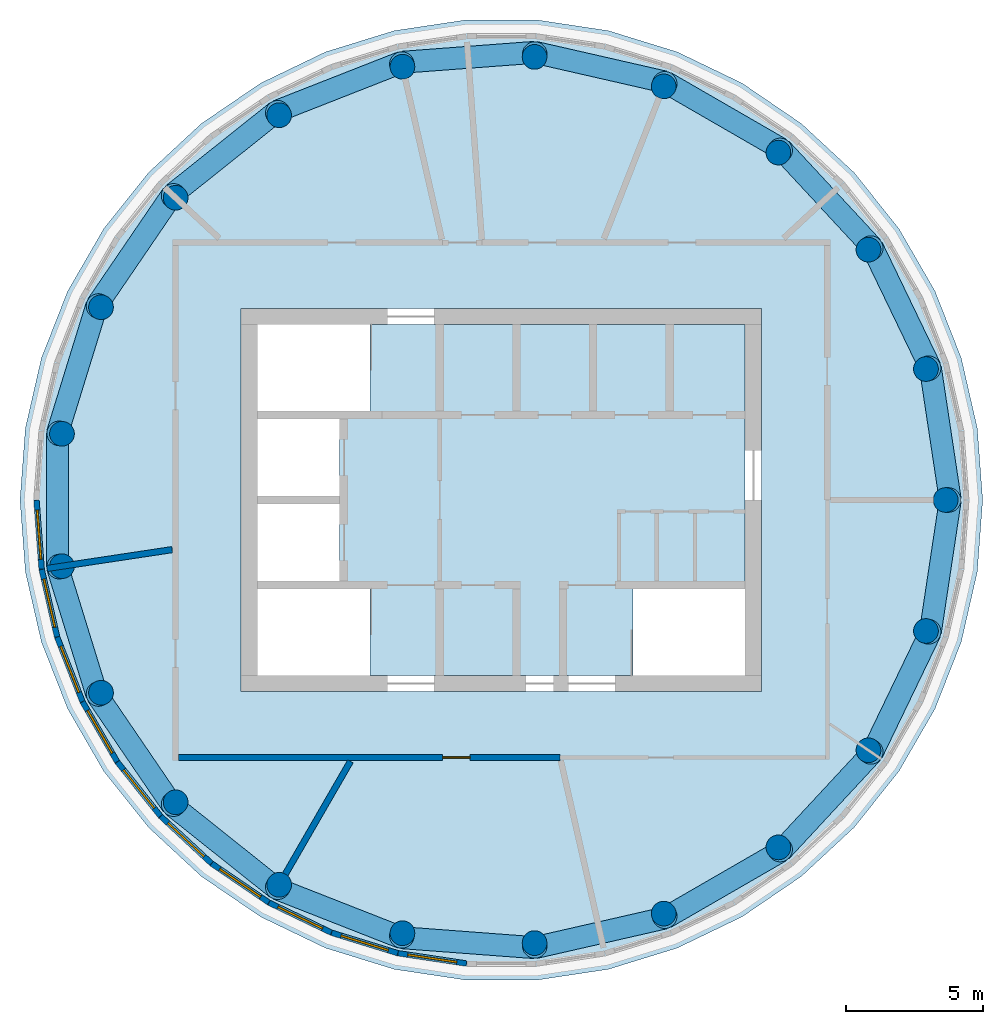
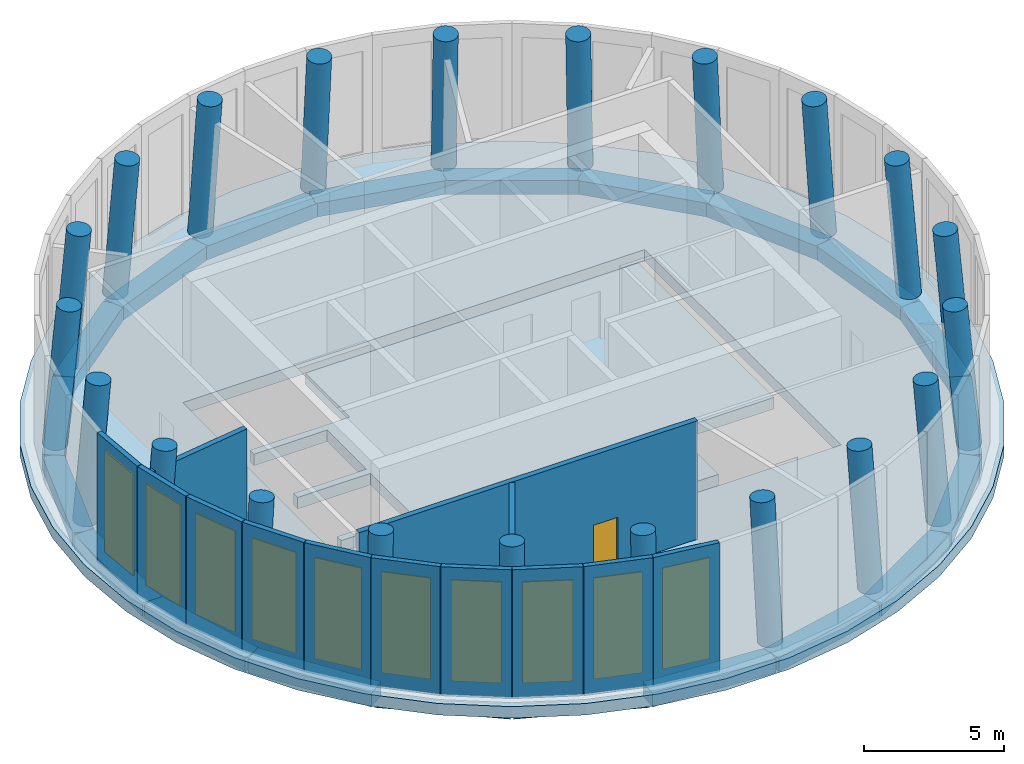
# One storey, part 1 of 6: 21 beams, 21 columns, 13 walls, 10 windows, 2 slabs, 1 door, 11 openings.
"""IFC4 building model written with IfcOpenShell, lengths in metres."""

from ifc_helpers import new_model, si_unit, direction, frame, frame_2d, origin, origin_2d, place, context, subcontext, project, spatial, polyline, rectangle, circle, outline, extrude, material, layer, layer_set, material_profile, profile_set, type_object, element, fill, save


model = new_model("IFC4")

# Units and contexts
model_context = context("Model", 3, precision=1e-05, world=origin(), true_north=direction((0.0, 1.0)))
body_context = subcontext(model_context, "Body", "Model", "MODEL_VIEW")
ifc_project = project(units=[si_unit("LENGTHUNIT", "METRE"), si_unit("AREAUNIT", "SQUARE_METRE"), si_unit("VOLUMEUNIT", "CUBIC_METRE"), si_unit("PLANEANGLEUNIT", "RADIAN"), si_unit("MASSUNIT", "GRAM", prefix="KILO")], contexts=[model_context])

# Site, building, storey
site_placement = place(None, origin())
site = spatial("IfcSite", under=ifc_project, at=site_placement, CompositionType="ELEMENT")
building_placement = place(site_placement, origin())
building = spatial("IfcBuilding", under=site, at=building_placement, Name="Tracery Tower", CompositionType="ELEMENT")
storey_placement = place(building_placement, frame((0.0, 0.0, 358.199951171875)))
storey = spatial("IfcBuildingStorey", under=building, at=storey_placement, Name="L91 Plant", CompositionType="ELEMENT", Elevation=358.199951171875)

# Columns
ifc_material_1 = material(Name="Concrete C40/50", Category="concrete")
ifc_material_profile_1 = material_profile(ifc_material_1, circle(Radius=0.449951171875, at=origin_2d()), Name="RC D900")
ifc_profile_set_1 = profile_set([ifc_material_profile_1], Name="Concrete C40/50")
column_type = type_object("IfcColumnType", Name="Ring 2 column 900", PredefinedType="COLUMN", material=ifc_profile_set_1)
for number, where, z_axis, x_axis, name in (
    (1, (16.322265625, 0.0, 0.0), (-0.083045479854, 0.0, 0.996545758245), (0.0, -1.0, 0.0), "Ring 2 column 00 at L91 Plant"),
    (2, (15.59716796875, 4.81103515625, 0.0), (-0.079355525933, -0.024451396085, 0.996546451368), (0.294463292182, -0.955662790715, 0.0), "Ring 2 column 01 at L91 Plant"),
    (3, (13.486083984375, 9.194580078125, 0.0), (-0.068609954363, -0.046753710036, 0.996547422234), (0.563124638155, -0.826371975506, 0.0), "Ring 2 column 02 at L91 Plant"),
    (4, (10.1767578125, 12.76123046875, 0.0), (-0.051781792178, -0.064919850648, 0.996546064661), (0.781773136815, -0.623562957972, 0.0), "Ring 2 column 03 at L91 Plant"),
    (5, (5.963134765625, 15.19384765625, 0.0), (-0.030331112906, -0.077287568447, 0.996547367341), (0.930882032679, -0.365319916287, 0.0), "Ring 2 column 04 at L91 Plant"),
    (6, (1.2197265625, 16.276611328125, 0.0), (-0.006204087027, -0.082802259542, 0.996546684867), (0.997204770402, -0.074717105716, 0.0), "Ring 2 column 05 at L91 Plant"),
    (7, (-3.632080078125, 15.9130859375, 0.0), (0.018490570178, -0.080977343519, 0.996544413787), (0.974906961218, 0.222612706217, 0.0), "Ring 2 column 06 at L91 Plant"),
    (8, (-8.1611328125, 14.135498046875, 0.0), (0.04152269391, -0.071934823239, 0.99654465384), (0.866071776036, 0.499919672301, 0.0), "Ring 2 column 07 at L91 Plant"),
    (9, (-11.965087890625, 11.101806640625, 0.0), (0.060905317561, -0.056485424342, 0.996543997588), (0.680001600229, 0.733210627096, 0.0), "Ring 2 column 08 at L91 Plant"),
    (10, (-14.705810546875, 7.081787109375, 0.0), (0.074814027775, -0.036008052392, 0.996547179722), (0.433683457211, 0.901065291165, 0.0), "Ring 2 column 09 at L91 Plant"),
    (11, (-16.139892578125, 2.4326171875, 0.0), (0.082112884337, -0.012367619616, 0.996546294063), (0.14893739329, 0.988846627582, 0.0), "Ring 2 column 10 at L91 Plant"),
    (12, (-16.139892578125, -2.4326171875, 0.0), (0.082112884337, 0.012367619616, 0.996546294063), (-0.14893739329, 0.988846627582, 0.0), "Ring 2 column 11 at L91 Plant"),
    (13, (-14.705810546875, -7.081787109375, 0.0), (0.074814027775, 0.036008052392, 0.996547179722), (-0.433683457211, 0.901065291165, 0.0), "Ring 2 column 12 at L91 Plant"),
    (14, (-11.965087890625, -11.101806640625, 0.0), (0.060905317561, 0.056485424342, 0.996543997588), (-0.680001600229, 0.733210627096, 0.0), "Ring 2 column 13 at L91 Plant"),
    (15, (-8.1611328125, -14.135498046875, 0.0), (0.04152269391, 0.071934823239, 0.99654465384), (-0.866071776036, 0.499919672301, 0.0), "Ring 2 column 14 at L91 Plant"),
    (16, (-3.632080078125, -15.9130859375, 0.0), (0.018490570178, 0.080977343519, 0.996544413787), (-0.974906961218, 0.222612706217, 0.0), "Ring 2 column 15 at L91 Plant"),
    (17, (1.2197265625, -16.276611328125, 0.0), (-0.006204087027, 0.082802259542, 0.996546684867), (-0.997204770402, -0.074717105716, 0.0), "Ring 2 column 16 at L91 Plant"),
    (18, (5.963134765625, -15.19384765625, 0.0), (-0.030331112906, 0.077287568447, 0.996547367341), (-0.930882032679, -0.365319916287, 0.0), "Ring 2 column 17 at L91 Plant"),
    (19, (10.1767578125, -12.76123046875, 0.0), (-0.051781792178, 0.064919850648, 0.996546064661), (-0.781773136815, -0.623562957972, 0.0), "Ring 2 column 18 at L91 Plant"),
    (20, (13.486083984375, -9.194580078125, 0.0), (-0.068609954363, 0.046753710036, 0.996547422234), (-0.563124638155, -0.826371975506, 0.0), "Ring 2 column 19 at L91 Plant"),
    (21, (15.59716796875, -4.81103515625, 0.0), (-0.079355525933, 0.024451396085, 0.996546451368), (-0.294463292182, -0.955662790715, 0.0), "Ring 2 column 20 at L91 Plant"),
):
    element("IfcColumn", number, at=place(storey_placement, frame(where, z_axis=z_axis, x_axis=x_axis)), inside=storey, type_object=column_type, Name=name, PredefinedType="COLUMN", context=body_context, shape_type="SweptSolid", body=[
        extrude(circle(Radius=0.449951171875, at=origin_2d()), origin(), (0.0, 0.0, 1.0), 6.020751953125),
    ])

# Beams
ifc_material_2 = material(Name="Concrete C40/50", Category="concrete")
ifc_material_profile_2 = material_profile(ifc_material_2, rectangle(XDim=0.800048828125, YDim=0.60009765625, at=origin_2d()), Name="RC 800x600")
ifc_profile_set_2 = profile_set([ifc_material_profile_2], Name="Concrete C40/50")
beam_type = type_object("IfcBeamType", Name="Plant level band beam 800x600", PredefinedType="BEAM", material=ifc_profile_set_2)
for number, where, z_axis, x_axis, name in (
    (22, (16.388916015625, 0.0, -0.800048828125), (-0.149022213382, 0.98883384849, 0.0), (-0.98883384849, -0.149022213382, 0.0), "Perimeter beam 2.00 under L91 Plant"),
    (23, (15.660888671875, 4.830810546875, -0.800048828125), (-0.433931314126, 0.900945955438, 0.0), (-0.900945955438, -0.433931314126, 0.0), "Perimeter beam 2.01 under L91 Plant"),
    (24, (13.541015625, 9.232177734375, -0.800048828125), (-0.680175018594, 0.733049755528, 0.0), (-0.733049755528, -0.680175018594, 0.0), "Perimeter beam 2.02 under L91 Plant"),
    (25, (10.21826171875, 12.813232421875, -0.800048828125), (-0.866001660343, 0.500041122592, 0.0), (-0.500041122592, -0.866001660343, 0.0), "Perimeter beam 2.03 under L91 Plant"),
    (26, (5.987548828125, 15.256103515625, -0.800048828125), (-0.974934131789, 0.222493682321, 0.0), (-0.222493682321, -0.974934131789, 0.0), "Perimeter beam 2.04 under L91 Plant"),
    (27, (1.224853515625, 16.343017578125, -0.800048828125), (-0.997205084034, -0.074712919747, 0.0), (0.074712919747, -0.997205084034, 0.0), "Perimeter beam 2.05 under L91 Plant"),
    (28, (-3.646728515625, 15.97802734375, -0.800048828125), (-0.930866249785, -0.365360130573, 0.0), (0.365360130573, -0.930866249785, 0.0), "Perimeter beam 2.06 under L91 Plant"),
    (29, (-8.1943359375, 14.193115234375, -0.800048828125), (-0.781842960257, -0.623475408895, 0.0), (0.623475408895, -0.781842960257, 0.0), "Perimeter beam 2.07 under L91 Plant"),
    (30, (-12.013916015625, 11.147216796875, -0.800048828125), (-0.563319766717, -0.826238972953, 0.0), (0.826238972953, -0.563319766717, 0.0), "Perimeter beam 2.08 under L91 Plant"),
    (31, (-14.765869140625, 7.11083984375, -0.800048828125), (-0.294753012006, -0.955573472797, 0.0), (0.955573472797, -0.294753012006, 0.0), "Perimeter beam 2.09 under L91 Plant"),
    (32, (-16.205810546875, 2.442626953125, -0.800048828125), (0.0, -1.0, 0.0), (1.0, 0.0, 0.0), "Perimeter beam 2.10 under L91 Plant"),
    (33, (-16.205810546875, -2.442626953125, -0.800048828125), (0.294753012006, -0.955573472797, 0.0), (0.955573472797, 0.294753012006, 0.0), "Perimeter beam 2.11 under L91 Plant"),
    (34, (-14.765869140625, -7.11083984375, -0.800048828125), (0.563319766717, -0.826238972953, 0.0), (0.826238972953, 0.563319766717, 0.0), "Perimeter beam 2.12 under L91 Plant"),
    (35, (-12.013916015625, -11.147216796875, -0.800048828125), (0.781842960257, -0.623475408895, 0.0), (0.623475408895, 0.781842960257, 0.0), "Perimeter beam 2.13 under L91 Plant"),
    (36, (-8.1943359375, -14.193115234375, -0.800048828125), (0.930866249785, -0.365360130573, 0.0), (0.365360130573, 0.930866249785, 0.0), "Perimeter beam 2.14 under L91 Plant"),
    (37, (-3.646728515625, -15.97802734375, -0.800048828125), (0.997205084034, -0.074712919747, 0.0), (0.074712919747, 0.997205084034, 0.0), "Perimeter beam 2.15 under L91 Plant"),
    (38, (1.224853515625, -16.343017578125, -0.800048828125), (0.974934131789, 0.222493682321, 0.0), (-0.222493682321, 0.974934131789, 0.0), "Perimeter beam 2.16 under L91 Plant"),
    (39, (5.987548828125, -15.256103515625, -0.800048828125), (0.866001660343, 0.500041122592, 0.0), (-0.500041122592, 0.866001660343, 0.0), "Perimeter beam 2.17 under L91 Plant"),
    (40, (10.21826171875, -12.813232421875, -0.800048828125), (0.680175018594, 0.733049755528, 0.0), (-0.733049755528, 0.680175018594, 0.0), "Perimeter beam 2.18 under L91 Plant"),
    (41, (13.541015625, -9.232177734375, -0.800048828125), (0.433931314126, 0.900945955438, 0.0), (-0.900945955438, 0.433931314126, 0.0), "Perimeter beam 2.19 under L91 Plant"),
    (42, (15.660888671875, -4.830810546875, -0.800048828125), (0.149022213382, 0.98883384849, 0.0), (-0.98883384849, 0.149022213382, 0.0), "Perimeter beam 2.20 under L91 Plant"),
):
    element("IfcBeam", number, at=place(storey_placement, frame(where, z_axis=z_axis, x_axis=x_axis)), inside=storey, type_object=beam_type, Name=name, PredefinedType="BEAM", context=body_context, shape_type="SweptSolid", body=[
        extrude(rectangle(XDim=0.800048828125, YDim=0.60009765625, at=origin_2d()), origin(), (0.0, 0.0, 1.0), 4.88525390625),
    ])

# Slabs
ifc_material_3 = material(Name="Concrete C40/50", Category="concrete")
ifc_layer_1 = layer(ifc_material_3, 0.5)
ifc_layer_set_1 = layer_set([ifc_layer_1], Name="Core floor slab 500 C40")
slab_type_1 = type_object("IfcSlabType", Name="Core floor slab 500 C40", PredefinedType="FLOOR", material=ifc_layer_set_1)
slab_1_placement = place(storey_placement, frame((0.0, 0.0, -0.5)))
element("IfcSlab", 43, at=slab_1_placement, inside=storey, type_object=slab_type_1, Name="L91 Plant core floor 1", PredefinedType="FLOOR", context=body_context, shape_type="SweptSolid", body=[
    extrude(outline(polyline([(-8.89990234375, -3.25), (-8.89990234375, -2.949951171875), (-5.89990234375, -2.949951171875), (-5.89990234375, -0.14990234375), (-8.89990234375, -0.14990234375), (-8.89990234375, 0.14990234375), (-5.89990234375, 0.14990234375), (-5.89990234375, 2.949951171875), (-8.89990234375, 2.949951171875), (-8.89990234375, 3.25), (-4.800537109375, 3.25), (-4.800537109375, 6.39990234375), (8.89990234375, 6.39990234375), (8.89990234375, -3.25), (4.800537109375, -3.25), (4.800537109375, -6.39990234375), (-4.800537109375, -6.39990234375), (-4.800537109375, -3.25), (-8.89990234375, -3.25)])), origin(), (0.0, 0.0, 1.0), 0.5),
])
ifc_material_4 = material(Name="Concrete C50/60", Category="concrete")
ifc_layer_2 = layer(ifc_material_4, 0.5)
ifc_layer_set_2 = layer_set([ifc_layer_2], Name="Plant floor slab 500")
slab_type_2 = type_object("IfcSlabType", Name="Plant floor slab 500", PredefinedType="FLOOR", material=ifc_layer_set_2)
slab_2_placement = place(storey_placement, frame((0.0, 0.0, -0.5)))
element("IfcSlab", 44, at=slab_2_placement, inside=storey, type_object=slab_type_2, Name="Floor slab L91 Plant", PredefinedType="FLOOR", context=body_context, shape_type="SweptSolid", body=[
    extrude(outline(polyline([(16.79150390625, -5.179443359375), (17.3759765625, -2.618896484375), (17.572265625, 0.0), (17.3759765625, 2.618896484375), (16.79150390625, 5.179443359375), (15.83203125, 7.624267578125), (14.518798828125, 9.898681640625), (12.88134765625, 11.9521484375), (10.9560546875, 13.738525390625), (8.7861328125, 15.218017578125), (6.419921875, 16.357421875), (3.91015625, 17.131591796875), (1.313232421875, 17.523193359375), (-1.313232421875, 17.523193359375), (-3.91015625, 17.131591796875), (-6.419921875, 16.357421875), (-8.7861328125, 15.218017578125), (-10.9560546875, 13.738525390625), (-12.88134765625, 11.9521484375), (-14.518798828125, 9.898681640625), (-15.83203125, 7.624267578125), (-16.79150390625, 5.179443359375), (-17.3759765625, 2.618896484375), (-17.572265625, 0.0), (-17.3759765625, -2.618896484375), (-16.79150390625, -5.179443359375), (-15.83203125, -7.624267578125), (-14.518798828125, -9.898681640625), (-12.88134765625, -11.9521484375), (-10.9560546875, -13.738525390625), (-8.7861328125, -15.218017578125), (-6.419921875, -16.357421875), (-3.91015625, -17.131591796875), (-1.313232421875, -17.523193359375), (1.313232421875, -17.523193359375), (3.91015625, -17.131591796875), (6.419921875, -16.357421875), (8.7861328125, -15.218017578125), (10.9560546875, -13.738525390625), (12.88134765625, -11.9521484375), (14.518798828125, -9.898681640625), (15.83203125, -7.624267578125), (16.79150390625, -5.179443359375)]), holes=[polyline([(-9.5, -7.0), (9.5, -7.0), (9.5, 7.0), (-9.5, 7.0), (-9.5, -7.0)])]), origin(), (0.0, 0.0, 1.0), 0.5),
])

# Wall, opening, window
ifc_material_5 = material(Name="Aluminium louvre, bronze anodised", Category="aluminium")
ifc_layer_3 = layer(ifc_material_5, 0.199951171875)
ifc_layer_set_3 = layer_set([ifc_layer_3], Name="Plant drum louvre wall 200")
wall_type_1 = type_object("IfcWallType", Name="Plant drum louvre wall 200", PredefinedType="STANDARD", material=ifc_layer_set_3)
wall_1_placement = place(storey_placement, frame((-16.97119140625, -0.008544921875, 0.0), z_axis=(0.0, 0.0, 1.0), x_axis=(0.074710452078, -0.997205268914, 0.0)))
wall_1 = element("IfcWall", 45, at=wall_1_placement, inside=storey, type_object=wall_type_1, Name="Plant drum louvre wall 22", PredefinedType="STANDARD", context=body_context, shape_type="SweptSolid", body=[
    extrude(rectangle(XDim=2.51953125, YDim=0.199951171875, at=frame_2d((1.259765625, 0.0))), origin(), (0.0, 0.0, 1.0), 5.60009765625),
])
opening_1_placement = place(wall_1_placement, frame((0.35986328125, 0.0, 0.60009765625)))
opening_1 = element("IfcOpeningElement", 46, at=opening_1_placement, cuts=wall_1, Name="Opening EW862", PredefinedType="OPENING", context=body_context, shape_type="SweptSolid", body=[
    extrude(rectangle(XDim=1.800048828125, YDim=4.39990234375, at=frame_2d((0.89990234375, 2.199951171875))), frame((0.0, 0.10009765625, 0.0), z_axis=(0.0, -1.0, 0.0), x_axis=(1.0, 0.0, 0.0)), (0.0, 0.0, 1.0), 0.199951171875),
])
ifc_material_6 = material(Name="Aluminium louvre, bronze anodised", Category="aluminium")
window_type = type_object("IfcWindowType", Name="Plant drum louvre 1800 x 4400", PartitioningType="SINGLE_PANEL", PredefinedType="WINDOW", material=ifc_material_6)
window_1_placement = place(opening_1_placement, origin())
window_1 = element("IfcWindow", 47, at=window_1_placement, inside=storey, type_object=window_type, Name="Plant drum louvre EW862", OverallHeight=4.39990234375, OverallWidth=1.800048828125, PartitioningType="SINGLE_PANEL", PredefinedType="WINDOW", context=body_context, shape_type="SweptSolid", body=[
    extrude(rectangle(XDim=1.800048828125, YDim=4.39990234375, at=frame_2d((0.89990234375, 2.199951171875))), frame((0.0, 0.030029296875, 0.0), z_axis=(0.0, -1.0, 0.0), x_axis=(1.0, 0.0, 0.0)), (0.0, 0.0, 1.0), 0.06005859375),
])
fill(opening_1, window_1)

wall_2_placement = place(storey_placement, frame((-16.780517578125, -2.537841796875, 0.0), z_axis=(0.0, 0.0, 1.0), x_axis=(0.222559075323, -0.974919205879, 0.0)))
wall_2 = element("IfcWall", 48, at=wall_2_placement, inside=storey, type_object=wall_type_1, Name="Plant drum louvre wall 23", PredefinedType="STANDARD", context=body_context, shape_type="SweptSolid", body=[
    extrude(rectangle(XDim=2.519775390625, YDim=0.199951171875, at=frame_2d((1.259765625, 0.0))), origin(), (0.0, 0.0, 1.0), 5.60009765625),
])
opening_2_placement = place(wall_2_placement, frame((0.35986328125, 0.0, 0.60009765625)))
opening_2 = element("IfcOpeningElement", 49, at=opening_2_placement, cuts=wall_2, Name="Opening EW863", PredefinedType="OPENING", context=body_context, shape_type="SweptSolid", body=[
    extrude(rectangle(XDim=1.800048828125, YDim=4.39990234375, at=frame_2d((0.89990234375, 2.199951171875))), frame((0.0, 0.10009765625, 0.0), z_axis=(0.0, -1.0, 0.0), x_axis=(1.0, 0.0, 0.0)), (0.0, 0.0, 1.0), 0.199951171875),
])
window_2_placement = place(opening_2_placement, origin())
window_2 = element("IfcWindow", 50, at=window_2_placement, inside=storey, type_object=window_type, Name="Plant drum louvre EW863", OverallHeight=4.39990234375, OverallWidth=1.800048828125, PartitioningType="SINGLE_PANEL", PredefinedType="WINDOW", context=body_context, shape_type="SweptSolid", body=[
    extrude(rectangle(XDim=1.800048828125, YDim=4.39990234375, at=frame_2d((0.89990234375, 2.199951171875))), frame((0.0, 0.030029296875, 0.0), z_axis=(0.0, -1.0, 0.0), x_axis=(1.0, 0.0, 0.0)), (0.0, 0.0, 1.0), 0.06005859375),
])
fill(opening_2, window_2)

wall_3_placement = place(storey_placement, frame((-16.21484375, -5.010498046875, 0.0), z_axis=(0.0, 0.0, 1.0), x_axis=(0.365385552195, -0.93085627153, 0.0)))
wall_3 = element("IfcWall", 51, at=wall_3_placement, inside=storey, type_object=wall_type_1, Name="Plant drum louvre wall 24", PredefinedType="STANDARD", context=body_context, shape_type="SweptSolid", body=[
    extrude(rectangle(XDim=2.519775390625, YDim=0.199951171875, at=frame_2d((1.259765625, 0.0))), origin(), (0.0, 0.0, 1.0), 5.60009765625),
])
opening_3_placement = place(wall_3_placement, frame((0.35986328125, 0.0, 0.60009765625)))
opening_3 = element("IfcOpeningElement", 52, at=opening_3_placement, cuts=wall_3, Name="Opening EW864", PredefinedType="OPENING", context=body_context, shape_type="SweptSolid", body=[
    extrude(rectangle(XDim=1.800048828125, YDim=4.39990234375, at=frame_2d((0.89990234375, 2.199951171875))), frame((0.0, 0.10009765625, 0.0), z_axis=(0.0, -1.0, 0.0), x_axis=(1.0, 0.0, 0.0)), (0.0, 0.0, 1.0), 0.199951171875),
])
window_3_placement = place(opening_3_placement, origin())
window_3 = element("IfcWindow", 53, at=window_3_placement, inside=storey, type_object=window_type, Name="Plant drum louvre EW864", OverallHeight=4.39990234375, OverallWidth=1.800048828125, PartitioningType="SINGLE_PANEL", PredefinedType="WINDOW", context=body_context, shape_type="SweptSolid", body=[
    extrude(rectangle(XDim=1.800048828125, YDim=4.39990234375, at=frame_2d((0.89990234375, 2.199951171875))), frame((0.0, 0.030029296875, 0.0), z_axis=(0.0, -1.0, 0.0), x_axis=(1.0, 0.0, 0.0)), (0.0, 0.0, 1.0), 0.06005859375),
])
fill(opening_3, window_3)

wall_4_placement = place(storey_placement, frame((-15.286865234375, -7.37109375, 0.0), z_axis=(0.0, 0.0, 1.0), x_axis=(0.499974077718, -0.866040369504, 0.0)))
wall_4 = element("IfcWall", 54, at=wall_4_placement, inside=storey, type_object=wall_type_1, Name="Plant drum louvre wall 25", PredefinedType="STANDARD", context=body_context, shape_type="SweptSolid", body=[
    extrude(rectangle(XDim=2.519775390625, YDim=0.199951171875, at=frame_2d((1.259765625, 0.0))), origin(), (0.0, 0.0, 1.0), 5.60009765625),
])
opening_4_placement = place(wall_4_placement, frame((0.35986328125, 0.0, 0.60009765625)))
opening_4 = element("IfcOpeningElement", 55, at=opening_4_placement, cuts=wall_4, Name="Opening EW865", PredefinedType="OPENING", context=body_context, shape_type="SweptSolid", body=[
    extrude(rectangle(XDim=1.800048828125, YDim=4.39990234375, at=frame_2d((0.89990234375, 2.199951171875))), frame((0.0, 0.10009765625, 0.0), z_axis=(0.0, -1.0, 0.0), x_axis=(1.0, 0.0, 0.0)), (0.0, 0.0, 1.0), 0.199951171875),
])
window_4_placement = place(opening_4_placement, origin())
window_4 = element("IfcWindow", 56, at=window_4_placement, inside=storey, type_object=window_type, Name="Plant drum louvre EW865", OverallHeight=4.39990234375, OverallWidth=1.800048828125, PartitioningType="SINGLE_PANEL", PredefinedType="WINDOW", context=body_context, shape_type="SweptSolid", body=[
    extrude(rectangle(XDim=1.800048828125, YDim=4.39990234375, at=frame_2d((0.89990234375, 2.199951171875))), frame((0.0, 0.030029296875, 0.0), z_axis=(0.0, -1.0, 0.0), x_axis=(1.0, 0.0, 0.0)), (0.0, 0.0, 1.0), 0.06005859375),
])
fill(opening_4, window_4)

wall_5_placement = place(storey_placement, frame((-14.017578125, -9.5673828125, 0.0), z_axis=(0.0, 0.0, 1.0), x_axis=(0.623548124622, -0.781784968057, 0.0)))
wall_5 = element("IfcWall", 57, at=wall_5_placement, inside=storey, type_object=wall_type_1, Name="Plant drum louvre wall 26", PredefinedType="STANDARD", context=body_context, shape_type="SweptSolid", body=[
    extrude(rectangle(XDim=2.51953125, YDim=0.199951171875, at=frame_2d((1.259765625, 0.0))), origin(), (0.0, 0.0, 1.0), 5.60009765625),
])
opening_5_placement = place(wall_5_placement, frame((0.35986328125, 0.0, 0.60009765625)))
opening_5 = element("IfcOpeningElement", 58, at=opening_5_placement, cuts=wall_5, Name="Opening EW866", PredefinedType="OPENING", context=body_context, shape_type="SweptSolid", body=[
    extrude(rectangle(XDim=1.800048828125, YDim=4.39990234375, at=frame_2d((0.89990234375, 2.199951171875))), frame((0.0, 0.10009765625, 0.0), z_axis=(0.0, -1.0, 0.0), x_axis=(1.0, 0.0, 0.0)), (0.0, 0.0, 1.0), 0.199951171875),
])
window_5_placement = place(opening_5_placement, origin())
window_5 = element("IfcWindow", 59, at=window_5_placement, inside=storey, type_object=window_type, Name="Plant drum louvre EW866", OverallHeight=4.39990234375, OverallWidth=1.800048828125, PartitioningType="SINGLE_PANEL", PredefinedType="WINDOW", context=body_context, shape_type="SweptSolid", body=[
    extrude(rectangle(XDim=1.800048828125, YDim=4.39990234375, at=frame_2d((0.89990234375, 2.199951171875))), frame((0.0, 0.030029296875, 0.0), z_axis=(0.0, -1.0, 0.0), x_axis=(1.0, 0.0, 0.0)), (0.0, 0.0, 1.0), 0.06005859375),
])
fill(opening_5, window_5)

wall_6_placement = place(storey_placement, frame((-12.43505859375, -11.549560546875, 0.0), z_axis=(0.0, 0.0, 1.0), x_axis=(0.733062600056, -0.68016117531, 0.0)))
wall_6 = element("IfcWall", 60, at=wall_6_placement, inside=storey, type_object=wall_type_1, Name="Plant drum louvre wall 27", PredefinedType="STANDARD", context=body_context, shape_type="SweptSolid", body=[
    extrude(rectangle(XDim=2.519775390625, YDim=0.199951171875, at=frame_2d((1.259765625, 0.0))), origin(), (0.0, 0.0, 1.0), 5.60009765625),
])
opening_6_placement = place(wall_6_placement, frame((0.35986328125, 0.0, 0.60009765625)))
opening_6 = element("IfcOpeningElement", 61, at=opening_6_placement, cuts=wall_6, Name="Opening EW867", PredefinedType="OPENING", context=body_context, shape_type="SweptSolid", body=[
    extrude(rectangle(XDim=1.800048828125, YDim=4.39990234375, at=frame_2d((0.89990234375, 2.199951171875))), frame((0.0, 0.10009765625, 0.0), z_axis=(0.0, -1.0, 0.0), x_axis=(1.0, 0.0, 0.0)), (0.0, 0.0, 1.0), 0.199951171875),
])
window_6_placement = place(opening_6_placement, origin())
window_6 = element("IfcWindow", 62, at=window_6_placement, inside=storey, type_object=window_type, Name="Plant drum louvre EW867", OverallHeight=4.39990234375, OverallWidth=1.800048828125, PartitioningType="SINGLE_PANEL", PredefinedType="WINDOW", context=body_context, shape_type="SweptSolid", body=[
    extrude(rectangle(XDim=1.800048828125, YDim=4.39990234375, at=frame_2d((0.89990234375, 2.199951171875))), frame((0.0, 0.030029296875, 0.0), z_axis=(0.0, -1.0, 0.0), x_axis=(1.0, 0.0, 0.0)), (0.0, 0.0, 1.0), 0.06005859375),
])
fill(opening_6, window_6)

wall_7_placement = place(storey_placement, frame((-10.57470703125, -13.27392578125, 0.0), z_axis=(0.0, 0.0, 1.0), x_axis=(0.826221192882, -0.563345844426, 0.0)))
wall_7 = element("IfcWall", 63, at=wall_7_placement, inside=storey, type_object=wall_type_1, Name="Plant drum louvre wall 28", PredefinedType="STANDARD", context=body_context, shape_type="SweptSolid", body=[
    extrude(rectangle(XDim=2.51953125, YDim=0.199951171875, at=frame_2d((1.259765625, 0.0))), origin(), (0.0, 0.0, 1.0), 5.60009765625),
])
opening_7_placement = place(wall_7_placement, frame((0.35986328125, 0.0, 0.60009765625)))
opening_7 = element("IfcOpeningElement", 64, at=opening_7_placement, cuts=wall_7, Name="Opening EW868", PredefinedType="OPENING", context=body_context, shape_type="SweptSolid", body=[
    extrude(rectangle(XDim=1.800048828125, YDim=4.39990234375, at=frame_2d((0.89990234375, 2.199951171875))), frame((0.0, 0.10009765625, 0.0), z_axis=(0.0, -1.0, 0.0), x_axis=(1.0, 0.0, 0.0)), (0.0, 0.0, 1.0), 0.199951171875),
])
window_7_placement = place(opening_7_placement, origin())
window_7 = element("IfcWindow", 65, at=window_7_placement, inside=storey, type_object=window_type, Name="Plant drum louvre EW868", OverallHeight=4.39990234375, OverallWidth=1.800048828125, PartitioningType="SINGLE_PANEL", PredefinedType="WINDOW", context=body_context, shape_type="SweptSolid", body=[
    extrude(rectangle(XDim=1.800048828125, YDim=4.39990234375, at=frame_2d((0.89990234375, 2.199951171875))), frame((0.0, 0.030029296875, 0.0), z_axis=(0.0, -1.0, 0.0), x_axis=(1.0, 0.0, 0.0)), (0.0, 0.0, 1.0), 0.06005859375),
])
fill(opening_7, window_7)

wall_8_placement = place(storey_placement, frame((-8.478271484375, -14.701904296875, 0.0), z_axis=(0.0, 0.0, 1.0), x_axis=(0.900994655578, -0.433830186387, 0.0)))
wall_8 = element("IfcWall", 66, at=wall_8_placement, inside=storey, type_object=wall_type_1, Name="Plant drum louvre wall 29", PredefinedType="STANDARD", context=body_context, shape_type="SweptSolid", body=[
    extrude(rectangle(XDim=2.51953125, YDim=0.199951171875, at=frame_2d((1.259765625, 0.0))), origin(), (0.0, 0.0, 1.0), 5.60009765625),
])
opening_8_placement = place(wall_8_placement, frame((0.35986328125, 0.0, 0.60009765625)))
opening_8 = element("IfcOpeningElement", 67, at=opening_8_placement, cuts=wall_8, Name="Opening EW869", PredefinedType="OPENING", context=body_context, shape_type="SweptSolid", body=[
    extrude(rectangle(XDim=1.800048828125, YDim=4.39990234375, at=frame_2d((0.89990234375, 2.199951171875))), frame((0.0, 0.10009765625, 0.0), z_axis=(0.0, -1.0, 0.0), x_axis=(1.0, 0.0, 0.0)), (0.0, 0.0, 1.0), 0.199951171875),
])
window_8_placement = place(opening_8_placement, origin())
window_8 = element("IfcWindow", 68, at=window_8_placement, inside=storey, type_object=window_type, Name="Plant drum louvre EW869", OverallHeight=4.39990234375, OverallWidth=1.800048828125, PartitioningType="SINGLE_PANEL", PredefinedType="WINDOW", context=body_context, shape_type="SweptSolid", body=[
    extrude(rectangle(XDim=1.800048828125, YDim=4.39990234375, at=frame_2d((0.89990234375, 2.199951171875))), frame((0.0, 0.030029296875, 0.0), z_axis=(0.0, -1.0, 0.0), x_axis=(1.0, 0.0, 0.0)), (0.0, 0.0, 1.0), 0.06005859375),
])
fill(opening_8, window_8)

wall_9_placement = place(storey_placement, frame((-6.1923828125, -15.80126953125, 0.0), z_axis=(0.0, 0.0, 1.0), x_axis=(0.955573464233, -0.294753039769, 0.0)))
wall_9 = element("IfcWall", 69, at=wall_9_placement, inside=storey, type_object=wall_type_1, Name="Plant drum louvre wall 30", PredefinedType="STANDARD", context=body_context, shape_type="SweptSolid", body=[
    extrude(rectangle(XDim=2.519775390625, YDim=0.199951171875, at=frame_2d((1.259765625, 0.0))), origin(), (0.0, 0.0, 1.0), 5.60009765625),
])
opening_9_placement = place(wall_9_placement, frame((0.35986328125, 0.0, 0.60009765625)))
opening_9 = element("IfcOpeningElement", 70, at=opening_9_placement, cuts=wall_9, Name="Opening EW870", PredefinedType="OPENING", context=body_context, shape_type="SweptSolid", body=[
    extrude(rectangle(XDim=1.800048828125, YDim=4.39990234375, at=frame_2d((0.89990234375, 2.199951171875))), frame((0.0, 0.10009765625, 0.0), z_axis=(0.0, -1.0, 0.0), x_axis=(1.0, 0.0, 0.0)), (0.0, 0.0, 1.0), 0.199951171875),
])
window_9_placement = place(opening_9_placement, origin())
window_9 = element("IfcWindow", 71, at=window_9_placement, inside=storey, type_object=window_type, Name="Plant drum louvre EW870", OverallHeight=4.39990234375, OverallWidth=1.800048828125, PartitioningType="SINGLE_PANEL", PredefinedType="WINDOW", context=body_context, shape_type="SweptSolid", body=[
    extrude(rectangle(XDim=1.800048828125, YDim=4.39990234375, at=frame_2d((0.89990234375, 2.199951171875))), frame((0.0, 0.030029296875, 0.0), z_axis=(0.0, -1.0, 0.0), x_axis=(1.0, 0.0, 0.0)), (0.0, 0.0, 1.0), 0.06005859375),
])
fill(opening_9, window_9)

wall_10_placement = place(storey_placement, frame((-3.768310546875, -16.547607421875, 0.0), z_axis=(0.0, 0.0, 1.0), x_axis=(0.98883520928, -0.149013183605, 0.0)))
wall_10 = element("IfcWall", 72, at=wall_10_placement, inside=storey, type_object=wall_type_1, Name="Plant drum louvre wall 31", PredefinedType="STANDARD", context=body_context, shape_type="SweptSolid", body=[
    extrude(rectangle(XDim=2.519775390625, YDim=0.199951171875, at=frame_2d((1.259765625, 0.0))), origin(), (0.0, 0.0, 1.0), 5.60009765625),
])
opening_10_placement = place(wall_10_placement, frame((0.35986328125, 0.0, 0.60009765625)))
opening_10 = element("IfcOpeningElement", 73, at=opening_10_placement, cuts=wall_10, Name="Opening EW871", PredefinedType="OPENING", context=body_context, shape_type="SweptSolid", body=[
    extrude(rectangle(XDim=1.800048828125, YDim=4.39990234375, at=frame_2d((0.89990234375, 2.199951171875))), frame((0.0, 0.10009765625, 0.0), z_axis=(0.0, -1.0, 0.0), x_axis=(1.0, 0.0, 0.0)), (0.0, 0.0, 1.0), 0.199951171875),
])
window_10_placement = place(opening_10_placement, origin())
window_10 = element("IfcWindow", 74, at=window_10_placement, inside=storey, type_object=window_type, Name="Plant drum louvre EW871", OverallHeight=4.39990234375, OverallWidth=1.800048828125, PartitioningType="SINGLE_PANEL", PredefinedType="WINDOW", context=body_context, shape_type="SweptSolid", body=[
    extrude(rectangle(XDim=1.800048828125, YDim=4.39990234375, at=frame_2d((0.89990234375, 2.199951171875))), frame((0.0, 0.030029296875, 0.0), z_axis=(0.0, -1.0, 0.0), x_axis=(1.0, 0.0, 0.0)), (0.0, 0.0, 1.0), 0.06005859375),
])
fill(opening_10, window_10)

# Wall
ifc_material_7 = material(Name="Concrete blockwork", Category="masonry")
ifc_layer_4 = layer(ifc_material_7, 0.22509765625)
ifc_layer_set_4 = layer_set([ifc_layer_4], Name="Plant room block wall 225")
wall_type_2 = type_object("IfcWallType", Name="Plant room block wall 225", PredefinedType="PARTITIONING", material=ifc_layer_set_4)
wall_11_placement = place(storey_placement, frame((-16.583984375, -2.49951171875, 0.0), z_axis=(0.0, 0.0, 1.0), x_axis=(0.988831327078, 0.149038943198, 0.0)))
element("IfcWall", 75, at=wall_11_placement, inside=storey, type_object=wall_type_2, Name="Plant room block wall 225", PredefinedType="PARTITIONING", context=body_context, shape_type="SweptSolid", body=[
    extrude(rectangle(XDim=4.614501953125, YDim=0.22509765625, at=frame_2d((2.30712890625, 0.0))), origin(), (0.0, 0.0, 1.0), 5.150146484375),
])

# Wall, opening, door
wall_12_placement = place(storey_placement, frame((-11.78759765625, -9.39990234375, 0.0), z_axis=(0.0, 0.0, 1.0), x_axis=(1.0, 0.0, 0.0)))
wall_12 = element("IfcWall", 76, at=wall_12_placement, inside=storey, type_object=wall_type_2, Name="Plant room block wall 225", PredefinedType="PARTITIONING", context=body_context, shape_type="SweptSolid", body=[
    extrude(rectangle(XDim=13.93310546875, YDim=0.22509765625, at=frame_2d((6.966552734375, 0.0))), origin(), (0.0, 0.0, 1.0), 5.150146484375),
])
opening_11_placement = place(wall_12_placement, frame((9.646728515625, 0.0, 0.0)))
opening_11 = element("IfcOpeningElement", 77, at=opening_11_placement, cuts=wall_12, Name="Opening SB-P91-08", PredefinedType="OPENING", context=body_context, shape_type="SweptSolid", body=[
    extrude(rectangle(XDim=1.0, YDim=2.10009765625, at=frame_2d((0.5, 1.050048828125))), frame((0.0, 0.112548828125, 0.0), z_axis=(0.0, -1.0, 0.0), x_axis=(1.0, 0.0, 0.0)), (0.0, 0.0, 1.0), 0.22509765625),
])
ifc_material_8 = material(Name="Steel fire door", Category="steel")
door_type = type_object("IfcDoorType", Name="Plant room door 1000", OperationType="NOTDEFINED", PredefinedType="DOOR", material=ifc_material_8)
door_placement = place(opening_11_placement, origin())
door = element("IfcDoor", 78, at=door_placement, inside=storey, type_object=door_type, Name="Plant room door 1000", OperationType="SINGLE_SWING_LEFT", OverallHeight=2.10009765625, OverallWidth=1.0, PredefinedType="DOOR", context=body_context, shape_type="SweptSolid", body=[
    extrude(rectangle(XDim=1.0, YDim=2.10009765625, at=frame_2d((0.5, 1.050048828125))), frame((0.0, 0.02490234375, 0.0), z_axis=(0.0, -1.0, 0.0), x_axis=(1.0, 0.0, 0.0)), (0.0, 0.0, 1.0), 0.050048828125),
])
fill(opening_11, door)

# Wall
wall_13_placement = place(storey_placement, frame((-8.3857421875, -14.5244140625, 0.0), z_axis=(0.0, 0.0, 1.0), x_axis=(0.499999096538, 0.866025925398, 0.0)))
element("IfcWall", 79, at=wall_13_placement, inside=storey, type_object=wall_type_2, Name="Plant room block wall 225", PredefinedType="PARTITIONING", context=body_context, shape_type="SweptSolid", body=[
    extrude(rectangle(XDim=5.7548828125, YDim=0.22509765625, at=frame_2d((2.87744140625, 0.0))), origin(), (0.0, 0.0, 1.0), 5.150146484375),
])

save(model, "model.ifc")
